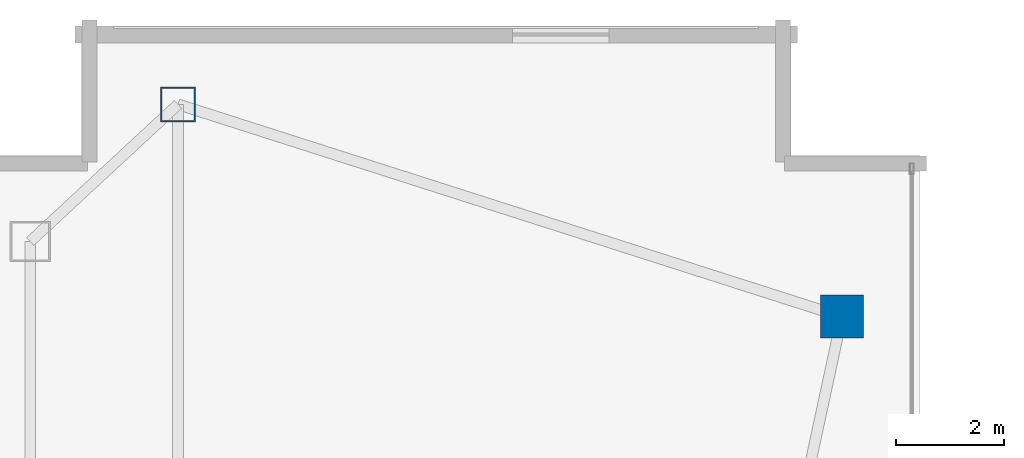
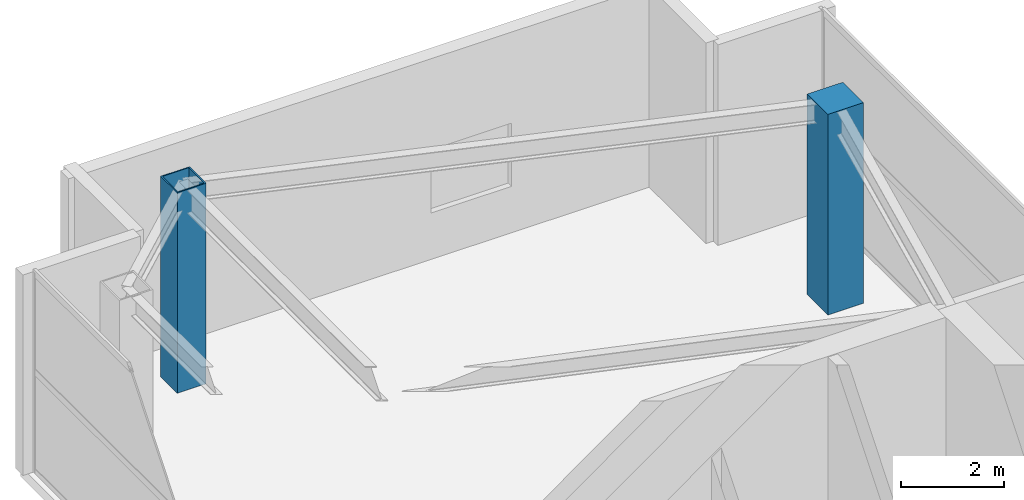
# One storey, part 2 of 20: 2 columns.
"""IFC4 building model written with IfcOpenShell, lengths in metres."""

from ifc_helpers import new_model, si_unit, direction, frame, origin, origin_2d, place, context, subcontext, project, spatial, rectangle, hollow_rectangle, extrude, material, material_profile, profile_set, type_object, element, save


model = new_model("IFC4")

# Units and contexts
model_context = context("Model", 3, precision=1e-05, world=origin(), true_north=direction((0.0, 1.0)))
body_context = subcontext(model_context, "Body", "Model", "MODEL_VIEW")
ifc_project = project(units=[si_unit("LENGTHUNIT", "METRE"), si_unit("AREAUNIT", "SQUARE_METRE"), si_unit("VOLUMEUNIT", "CUBIC_METRE"), si_unit("PLANEANGLEUNIT", "RADIAN"), si_unit("MASSUNIT", "GRAM", prefix="KILO")], contexts=[model_context])

# Site, building, storey
site_placement = place(None, origin())
site = spatial("IfcSite", under=ifc_project, at=site_placement, CompositionType="ELEMENT")
building_placement = place(site_placement, origin())
building = spatial("IfcBuilding", under=site, at=building_placement, Name="Calvorn Quay Hotel", CompositionType="ELEMENT")
storey_placement = place(building_placement, frame((0.0, 0.0, 335.5)))
storey = spatial("IfcBuildingStorey", under=building, at=storey_placement, Name="L82", CompositionType="ELEMENT", Elevation=335.5)

# Columns
ifc_material_1 = material(Name="Concrete C45", Category="concrete")
ifc_material_profile_1 = material_profile(ifc_material_1, rectangle(XDim=0.800048828125, YDim=0.800048828125, at=origin_2d()), Name="RC800x800")
ifc_profile_set_1 = profile_set([ifc_material_profile_1], Name="Concrete C45")
column_type_1 = type_object("IfcColumnType", Name="COL-RC-800", PredefinedType="COLUMN", material=ifc_profile_set_1)
column_1_placement = place(storey_placement, frame((16.550048828125, 45.60009765625, 0.0), z_axis=(0.0, 0.0, 1.0), x_axis=(1.0, 0.0, 0.0)))
element("IfcColumn", 1, at=column_1_placement, inside=storey, type_object=column_type_1, Name="Column C-IC1 (L82)", PredefinedType="COLUMN", context=body_context, shape_type="SweptSolid", body=[
    extrude(rectangle(XDim=0.800048828125, YDim=0.800048828125, at=origin_2d()), origin(), (0.0, 0.0, 1.0), 4.760009765625),
])
ifc_material_2 = material(Name="Steel Q355B", Category="steel")
ifc_material_profile_2 = material_profile(ifc_material_2, hollow_rectangle(XDim=0.64990234375, YDim=0.64990234375, WallThickness=0.028076171875, at=origin_2d()), Name="BOX650x650x28")
ifc_profile_set_2 = profile_set([ifc_material_profile_2], Name="Steel Q355B")
column_type_2 = type_object("IfcColumnType", Name="COL-STL-Z4", PredefinedType="COLUMN", material=ifc_profile_set_2)
column_2_placement = place(storey_placement, frame((4.199951171875, 49.550048828125, 0.0), z_axis=(0.0, 0.0, 1.0), x_axis=(1.0, 0.0, 0.0)))
element("IfcColumn", 2, at=column_2_placement, inside=storey, type_object=column_type_2, Name="Column C-NW1 (L82)", PredefinedType="COLUMN", context=body_context, shape_type="SweptSolid", body=[
    extrude(hollow_rectangle(XDim=0.64990234375, YDim=0.64990234375, WallThickness=0.028076171875, at=origin_2d()), origin(), (0.0, 0.0, 1.0), 4.760009765625),
])

save(model, "model.ifc")
